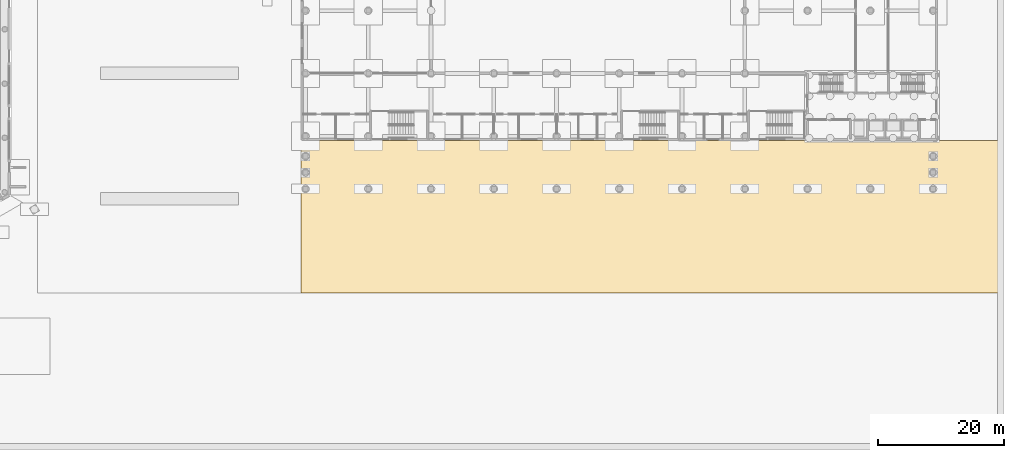
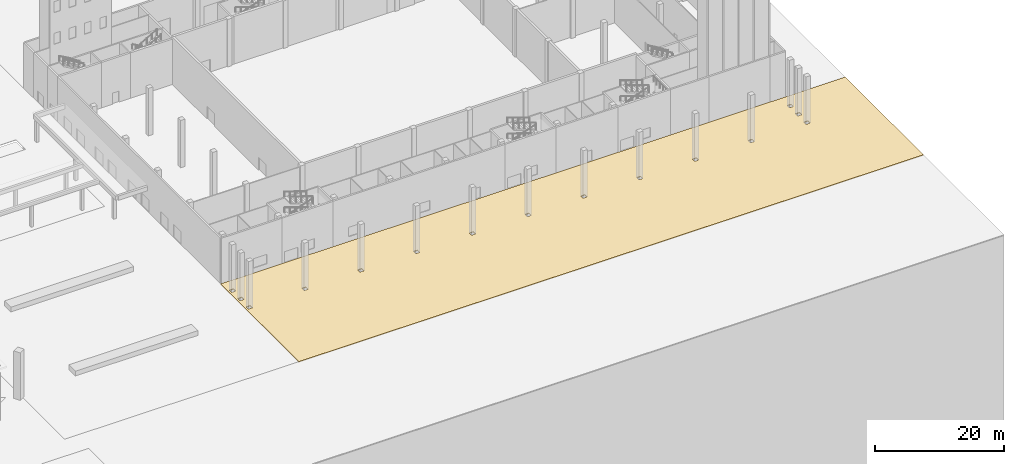
# One storey, part 54 of 63: 1 covering.
"""IFC4 building model written with IfcOpenShell, lengths in metres."""

from ifc_helpers import new_model, si_unit, direction, frame, origin, place, context, subcontext, project, spatial, polyline, outline, extrude, material, layer, layer_set, type_object, element, save


model = new_model("IFC4")

# Units and contexts
model_context = context("Model", 3, precision=1e-05, world=origin(), true_north=direction((0.0, 1.0)))
body_context = subcontext(model_context, "Body", "Model", "MODEL_VIEW")
ifc_project = project(units=[si_unit("LENGTHUNIT", "METRE"), si_unit("AREAUNIT", "SQUARE_METRE"), si_unit("VOLUMEUNIT", "CUBIC_METRE"), si_unit("PLANEANGLEUNIT", "RADIAN"), si_unit("MASSUNIT", "GRAM", prefix="KILO")], contexts=[model_context])

# Site, building, storey
site_placement = place(None, origin())
site = spatial("IfcSite", under=ifc_project, at=site_placement, CompositionType="ELEMENT")
building_placement = place(site_placement, origin())
building = spatial("IfcBuilding", under=site, at=building_placement, Name="Jabali Bay Hotel Tower and Convention Centre", CompositionType="ELEMENT")
storey_placement = place(building_placement, origin())
storey = spatial("IfcBuildingStorey", under=building, at=storey_placement, Name="L00", CompositionType="ELEMENT", Elevation=0.0)

# Covering
ifc_material = material(Name="Precast concrete paving flags", Category="concrete")
ifc_layer = layer(ifc_material, 0.14990234375)
ifc_layer_set = layer_set([ifc_layer], Name="Precast concrete paving flags")
covering_type = type_object("IfcCoveringType", Name="SI Paving 150", PredefinedType="USERDEFINED", material=ifc_layer_set)
covering_placement = place(storey_placement, frame((0.0, 0.0, -0.14990234375)))
element("IfcCovering", 1, at=covering_placement, inside=storey, type_object=covering_type, Name="SI convention centre south forecourt", ObjectType="PAVING", PredefinedType="USERDEFINED", context=body_context, shape_type="SweptSolid", body=[
    extrude(outline(polyline([(150.0, 25.0), (262.0, 25.0), (262.0, 49.300048828125), (150.0, 49.300048828125), (150.0, 25.0)]), holes=[polyline([(150.35009765625, 41.949951171875), (151.050048828125, 41.949951171875), (151.050048828125, 41.25), (150.35009765625, 41.25), (150.35009765625, 41.949951171875)]), polyline([(161.050048828125, 41.949951171875), (161.050048828125, 41.25), (160.35009765625, 41.25), (160.35009765625, 41.949951171875), (161.050048828125, 41.949951171875)]), polyline([(171.050048828125, 41.949951171875), (171.050048828125, 41.25), (170.35009765625, 41.25), (170.35009765625, 41.949951171875), (171.050048828125, 41.949951171875)]), polyline([(181.050048828125, 41.949951171875), (181.050048828125, 41.25), (180.35009765625, 41.25), (180.35009765625, 41.949951171875), (181.050048828125, 41.949951171875)]), polyline([(191.050048828125, 41.949951171875), (191.050048828125, 41.25), (190.35009765625, 41.25), (190.35009765625, 41.949951171875), (191.050048828125, 41.949951171875)]), polyline([(201.050048828125, 41.949951171875), (201.050048828125, 41.25), (200.35009765625, 41.25), (200.35009765625, 41.949951171875), (201.050048828125, 41.949951171875)]), polyline([(151.050048828125, 44.550048828125), (151.050048828125, 43.85009765625), (150.35009765625, 43.85009765625), (150.35009765625, 44.550048828125), (151.050048828125, 44.550048828125)]), polyline([(151.050048828125, 47.14990234375), (151.050048828125, 46.449951171875), (150.35009765625, 46.449951171875), (150.35009765625, 47.14990234375), (151.050048828125, 47.14990234375)]), polyline([(211.050048828125, 41.949951171875), (211.050048828125, 41.25), (210.35009765625, 41.25), (210.35009765625, 41.949951171875), (211.050048828125, 41.949951171875)]), polyline([(221.050048828125, 41.949951171875), (221.050048828125, 41.25), (220.35009765625, 41.25), (220.35009765625, 41.949951171875), (221.050048828125, 41.949951171875)]), polyline([(231.050048828125, 41.949951171875), (231.050048828125, 41.25), (230.35009765625, 41.25), (230.35009765625, 41.949951171875), (231.050048828125, 41.949951171875)]), polyline([(241.050048828125, 41.949951171875), (241.050048828125, 41.25), (240.35009765625, 41.25), (240.35009765625, 41.949951171875), (241.050048828125, 41.949951171875)]), polyline([(251.050048828125, 41.949951171875), (251.050048828125, 41.25), (250.35009765625, 41.25), (250.35009765625, 41.949951171875), (251.050048828125, 41.949951171875)]), polyline([(251.050048828125, 44.550048828125), (251.050048828125, 43.85009765625), (250.35009765625, 43.85009765625), (250.35009765625, 44.550048828125), (251.050048828125, 44.550048828125)]), polyline([(251.050048828125, 47.14990234375), (251.050048828125, 46.449951171875), (250.35009765625, 46.449951171875), (250.35009765625, 47.14990234375), (251.050048828125, 47.14990234375)])]), origin(), (0.0, 0.0, 1.0), 0.14990234375),
])

save(model, "model.ifc")
